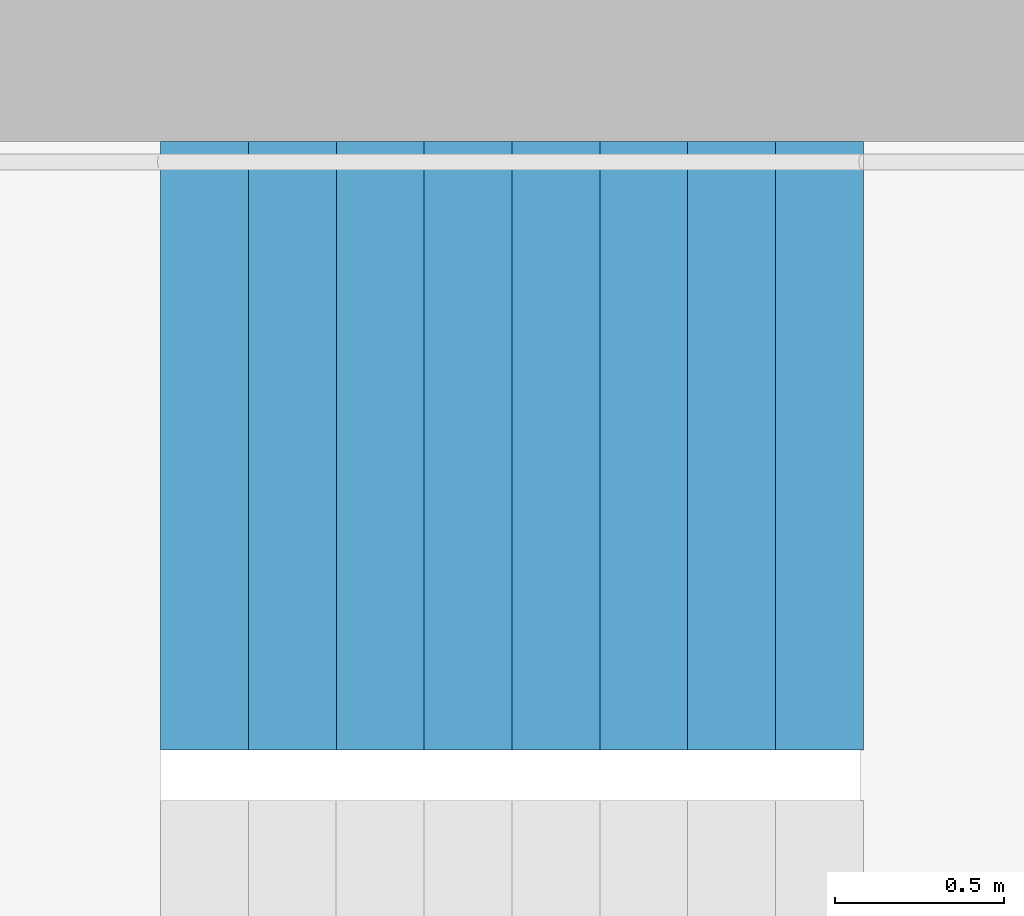
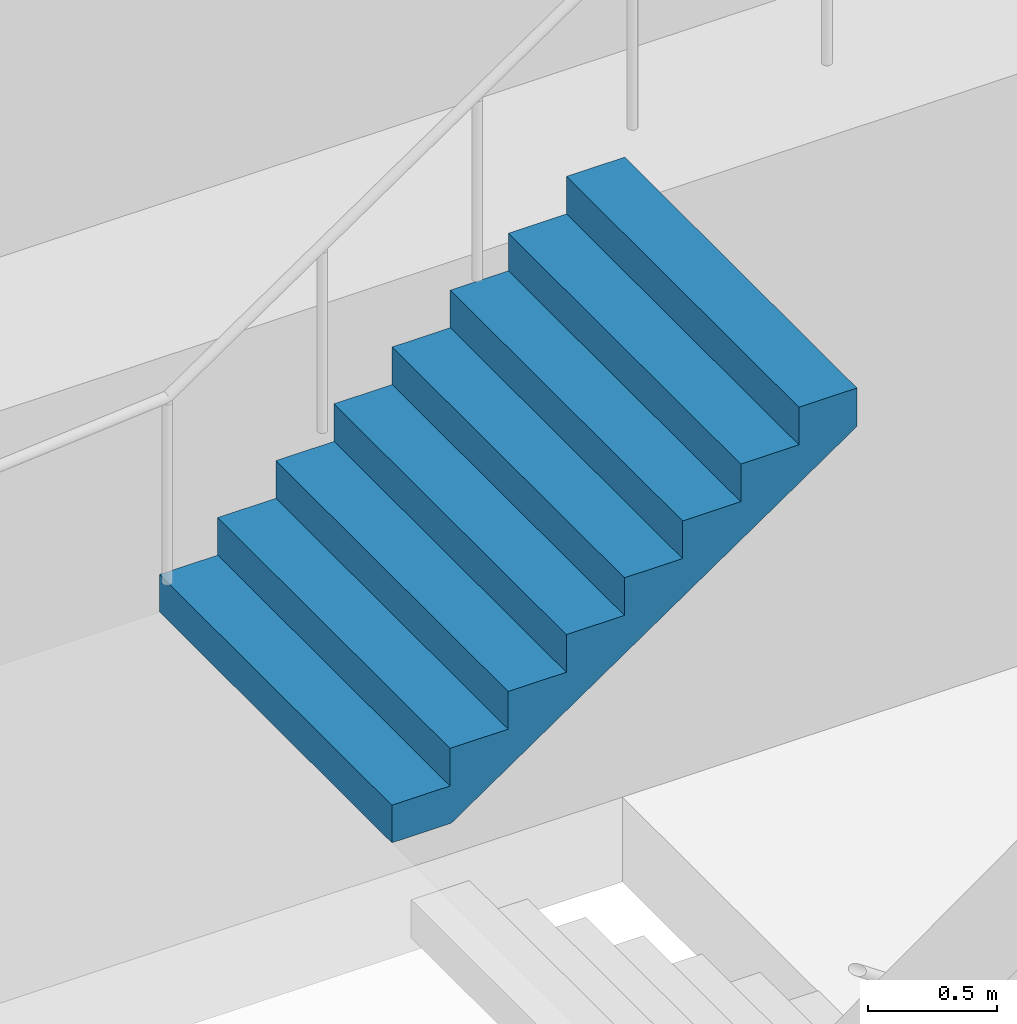
# One storey, part 40 of 42: 1 stair flight, 1 element without a shape of its own.
"""IFC4 building model written with IfcOpenShell, lengths in metres."""

from ifc_helpers import new_model, si_unit, direction, frame, origin, place, context, subcontext, project, spatial, triangles, material, type_object, element, aggregate, save


model = new_model("IFC4")

# Units and contexts
model_context = context("Model", 3, precision=1e-05, world=origin(), true_north=direction((0.0, 1.0)))
body_context = subcontext(model_context, "Body", "Model", "MODEL_VIEW")
ifc_project = project(units=[si_unit("LENGTHUNIT", "METRE"), si_unit("AREAUNIT", "SQUARE_METRE"), si_unit("VOLUMEUNIT", "CUBIC_METRE"), si_unit("PLANEANGLEUNIT", "RADIAN"), si_unit("MASSUNIT", "GRAM", prefix="KILO")], contexts=[model_context])

# Site, building, storey
site_placement = place(None, origin())
site = spatial("IfcSite", under=ifc_project, at=site_placement, CompositionType="ELEMENT")
building_placement = place(site_placement, origin())
building = spatial("IfcBuilding", under=site, at=building_placement, Name="Hakoniwa Tower and Hamabe Station Hall", CompositionType="ELEMENT")
storey_placement = place(building_placement, frame((0.0, 0.0, 19.800048828125)))
storey = spatial("IfcBuildingStorey", under=building, at=storey_placement, Name="L04", CompositionType="ELEMENT", Elevation=19.800048828125)

# Stair, stair flight
ifc_material_1 = material(Name="Concrete C40", Category="concrete")
stair_type = type_object("IfcStairType", Name="ESCAPE STAIR 1800", PredefinedType="HALF_TURN_STAIR", material=ifc_material_1)
stair_placement = place(storey_placement, origin())
stair = element("IfcStair", 1, at=stair_placement, inside=storey, type_object=stair_type, Name="Escape stair ST-3 L04", PredefinedType="HALF_TURN_STAIR")
ifc_material_2 = material(Name="Concrete C40", Category="concrete")
stair_flight_type = type_object("IfcStairFlightType", Name="STAIR FLIGHT 1800", PredefinedType="STRAIGHT", material=ifc_material_2)
stair_flight_placement = place(storey_placement, frame((22.320068359375, 6.60009765625, 1.599853515625), z_axis=(0.0, 0.0, 1.0), x_axis=(1.0, 0.0, 0.0)))
stair_flight = element("IfcStairFlight", 2, at=stair_flight_placement, type_object=stair_flight_type, Name="ST-3 flight 2", NumberOfRisers=9, NumberOfTreads=8, PredefinedType="STRAIGHT", RiserHeight=0.177777778, TreadLength=0.26, context=body_context, shape_type="Tessellation", body=[
    triangles([(0.0, 0.89990234375, 0.0), (0.260009765625, 0.89990234375, 0.0), (0.265625, 0.89990234375, 0.0), (0.52001953125, 0.89990234375, 0.174072265625), (0.780029296875, 0.89990234375, 0.351806640625), (1.0400390625, 0.89990234375, 0.529541015625), (1.300048828125, 0.89990234375, 0.707275390625), (1.56005859375, 0.89990234375, 0.885009765625), (1.820068359375, 0.89990234375, 1.062744140625), (2.080078125, 0.89990234375, 1.24072265625), (2.080078125, 0.89990234375, 1.422119140625), (1.820068359375, 0.89990234375, 1.422119140625), (1.820068359375, 0.89990234375, 1.244384765625), (1.56005859375, 0.89990234375, 1.244384765625), (1.56005859375, 0.89990234375, 1.066650390625), (1.300048828125, 0.89990234375, 1.066650390625), (1.300048828125, 0.89990234375, 0.888916015625), (1.0400390625, 0.89990234375, 0.888916015625), (1.0400390625, 0.89990234375, 0.711181640625), (0.780029296875, 0.89990234375, 0.711181640625), (0.780029296875, 0.89990234375, 0.533447265625), (0.52001953125, 0.89990234375, 0.533447265625), (0.52001953125, 0.89990234375, 0.35546875), (0.265625, 0.89990234375, 0.35546875), (0.260009765625, 0.89990234375, 0.35546875), (0.260009765625, 0.89990234375, 0.177734375), (0.0, 0.89990234375, 0.177734375), (0.0, 0.06005859375, 0.0), (0.260009765625, 0.06005859375, 0.0), (0.265625, 0.06005859375, 0.0), (0.52001953125, 0.06005859375, 0.174072265625), (0.780029296875, 0.06005859375, 0.351806640625), (1.0400390625, 0.06005859375, 0.529541015625), (1.300048828125, 0.06005859375, 0.707275390625), (1.56005859375, 0.06005859375, 0.885009765625), (1.820068359375, 0.06005859375, 1.062744140625), (2.080078125, 0.06005859375, 1.24072265625), (2.080078125, 0.06005859375, 1.422119140625), (1.820068359375, 0.06005859375, 1.422119140625), (1.820068359375, 0.06005859375, 1.244384765625), (1.56005859375, 0.06005859375, 1.244384765625), (1.56005859375, 0.06005859375, 1.066650390625), (1.300048828125, 0.06005859375, 1.066650390625), (1.300048828125, 0.06005859375, 0.888916015625), (1.0400390625, 0.06005859375, 0.888916015625), (1.0400390625, 0.06005859375, 0.711181640625), (0.780029296875, 0.06005859375, 0.711181640625), (0.780029296875, 0.06005859375, 0.533447265625), (0.52001953125, 0.06005859375, 0.533447265625), (0.52001953125, 0.06005859375, 0.35546875), (0.265625, 0.06005859375, 0.35546875), (0.260009765625, 0.06005859375, 0.35546875), (0.260009765625, 0.06005859375, 0.177734375), (0.0, 0.06005859375, 0.177734375), (0.0, 0.04296875, 0.0), (0.260009765625, 0.04296875, 0.0), (0.265625, 0.04296875, 0.0), (0.52001953125, 0.04296875, 0.174072265625), (0.780029296875, 0.04296875, 0.351806640625), (1.0400390625, 0.04296875, 0.529541015625), (1.300048828125, 0.04296875, 0.707275390625), (1.56005859375, 0.04296875, 0.885009765625), (1.820068359375, 0.04296875, 1.062744140625), (2.080078125, 0.04296875, 1.24072265625), (2.080078125, 0.04296875, 1.422119140625), (1.820068359375, 0.04296875, 1.422119140625), (1.820068359375, 0.04296875, 1.244384765625), (1.56005859375, 0.04296875, 1.244384765625), (1.56005859375, 0.04296875, 1.066650390625), (1.300048828125, 0.04296875, 1.066650390625), (1.300048828125, 0.04296875, 0.888916015625), (1.0400390625, 0.04296875, 0.888916015625), (1.0400390625, 0.04296875, 0.711181640625), (0.780029296875, 0.04296875, 0.711181640625), (0.780029296875, 0.04296875, 0.533447265625), (0.52001953125, 0.04296875, 0.533447265625), (0.52001953125, 0.04296875, 0.35546875), (0.265625, 0.04296875, 0.35546875), (0.260009765625, 0.04296875, 0.35546875), (0.260009765625, 0.04296875, 0.177734375), (0.0, 0.04296875, 0.177734375), (0.0, 0.025634765625, 0.0), (0.260009765625, 0.025634765625, 0.0), (0.265625, 0.025634765625, 0.0), (0.52001953125, 0.025634765625, 0.174072265625), (0.780029296875, 0.025634765625, 0.351806640625), (1.0400390625, 0.025634765625, 0.529541015625), (1.300048828125, 0.025634765625, 0.707275390625), (1.56005859375, 0.025634765625, 0.885009765625), (1.820068359375, 0.025634765625, 1.062744140625), (2.080078125, 0.025634765625, 1.24072265625), (2.080078125, 0.025634765625, 1.422119140625), (1.820068359375, 0.025634765625, 1.422119140625), (1.820068359375, 0.025634765625, 1.244384765625), (1.56005859375, 0.025634765625, 1.244384765625), (1.56005859375, 0.025634765625, 1.066650390625), (1.300048828125, 0.025634765625, 1.066650390625), (1.300048828125, 0.025634765625, 0.888916015625), (1.0400390625, 0.025634765625, 0.888916015625), (1.0400390625, 0.025634765625, 0.711181640625), (0.780029296875, 0.025634765625, 0.711181640625), (0.780029296875, 0.025634765625, 0.533447265625), (0.52001953125, 0.025634765625, 0.533447265625), (0.52001953125, 0.025634765625, 0.35546875), (0.265625, 0.025634765625, 0.35546875), (0.260009765625, 0.025634765625, 0.35546875), (0.260009765625, 0.025634765625, 0.177734375), (0.0, 0.025634765625, 0.177734375), (0.0, 0.008544921875, 0.0), (0.260009765625, 0.008544921875, 0.0), (0.265625, 0.008544921875, 0.0), (0.52001953125, 0.008544921875, 0.174072265625), (0.780029296875, 0.008544921875, 0.351806640625), (1.0400390625, 0.008544921875, 0.529541015625), (1.300048828125, 0.008544921875, 0.707275390625), (1.56005859375, 0.008544921875, 0.885009765625), (1.820068359375, 0.008544921875, 1.062744140625), (2.080078125, 0.008544921875, 1.24072265625), (2.080078125, 0.008544921875, 1.422119140625), (1.820068359375, 0.008544921875, 1.422119140625), (1.820068359375, 0.008544921875, 1.244384765625), (1.56005859375, 0.008544921875, 1.244384765625), (1.56005859375, 0.008544921875, 1.066650390625), (1.300048828125, 0.008544921875, 1.066650390625), (1.300048828125, 0.008544921875, 0.888916015625), (1.0400390625, 0.008544921875, 0.888916015625), (1.0400390625, 0.008544921875, 0.711181640625), (0.780029296875, 0.008544921875, 0.711181640625), (0.780029296875, 0.008544921875, 0.533447265625), (0.52001953125, 0.008544921875, 0.533447265625), (0.52001953125, 0.008544921875, 0.35546875), (0.265625, 0.008544921875, 0.35546875), (0.260009765625, 0.008544921875, 0.35546875), (0.260009765625, 0.008544921875, 0.177734375), (0.0, 0.008544921875, 0.177734375), (0.0, -0.008544921875, 0.0), (0.260009765625, -0.008544921875, 0.0), (0.265625, -0.008544921875, 0.0), (0.52001953125, -0.008544921875, 0.174072265625), (0.780029296875, -0.008544921875, 0.351806640625), (1.0400390625, -0.008544921875, 0.529541015625), (1.300048828125, -0.008544921875, 0.707275390625), (1.56005859375, -0.008544921875, 0.885009765625), (1.820068359375, -0.008544921875, 1.062744140625), (2.080078125, -0.008544921875, 1.24072265625), (2.080078125, -0.008544921875, 1.422119140625), (1.820068359375, -0.008544921875, 1.422119140625), (1.820068359375, -0.008544921875, 1.244384765625), (1.56005859375, -0.008544921875, 1.244384765625), (1.56005859375, -0.008544921875, 1.066650390625), (1.300048828125, -0.008544921875, 1.066650390625), (1.300048828125, -0.008544921875, 0.888916015625), (1.0400390625, -0.008544921875, 0.888916015625), (1.0400390625, -0.008544921875, 0.711181640625), (0.780029296875, -0.008544921875, 0.711181640625), (0.780029296875, -0.008544921875, 0.533447265625), (0.52001953125, -0.008544921875, 0.533447265625), (0.52001953125, -0.008544921875, 0.35546875), (0.265625, -0.008544921875, 0.35546875), (0.260009765625, -0.008544921875, 0.35546875), (0.260009765625, -0.008544921875, 0.177734375), (0.0, -0.008544921875, 0.177734375), (0.0, -0.025634765625, 0.0), (0.260009765625, -0.025634765625, 0.0), (0.265625, -0.025634765625, 0.0), (0.52001953125, -0.025634765625, 0.174072265625), (0.780029296875, -0.025634765625, 0.351806640625), (1.0400390625, -0.025634765625, 0.529541015625), (1.300048828125, -0.025634765625, 0.707275390625), (1.56005859375, -0.025634765625, 0.885009765625), (1.820068359375, -0.025634765625, 1.062744140625), (2.080078125, -0.025634765625, 1.24072265625), (2.080078125, -0.025634765625, 1.422119140625), (1.820068359375, -0.025634765625, 1.422119140625), (1.820068359375, -0.025634765625, 1.244384765625), (1.56005859375, -0.025634765625, 1.244384765625), (1.56005859375, -0.025634765625, 1.066650390625), (1.300048828125, -0.025634765625, 1.066650390625), (1.300048828125, -0.025634765625, 0.888916015625), (1.0400390625, -0.025634765625, 0.888916015625), (1.0400390625, -0.025634765625, 0.711181640625), (0.780029296875, -0.025634765625, 0.711181640625), (0.780029296875, -0.025634765625, 0.533447265625), (0.52001953125, -0.025634765625, 0.533447265625), (0.52001953125, -0.025634765625, 0.35546875), (0.265625, -0.025634765625, 0.35546875), (0.260009765625, -0.025634765625, 0.35546875), (0.260009765625, -0.025634765625, 0.177734375), (0.0, -0.025634765625, 0.177734375), (0.0, -0.04296875, 0.0), (0.260009765625, -0.04296875, 0.0), (0.265625, -0.04296875, 0.0), (0.52001953125, -0.04296875, 0.174072265625), (0.780029296875, -0.04296875, 0.351806640625), (1.0400390625, -0.04296875, 0.529541015625), (1.300048828125, -0.04296875, 0.707275390625), (1.56005859375, -0.04296875, 0.885009765625), (1.820068359375, -0.04296875, 1.062744140625), (2.080078125, -0.04296875, 1.24072265625), (2.080078125, -0.04296875, 1.422119140625), (1.820068359375, -0.04296875, 1.422119140625), (1.820068359375, -0.04296875, 1.244384765625), (1.56005859375, -0.04296875, 1.244384765625), (1.56005859375, -0.04296875, 1.066650390625), (1.300048828125, -0.04296875, 1.066650390625), (1.300048828125, -0.04296875, 0.888916015625), (1.0400390625, -0.04296875, 0.888916015625), (1.0400390625, -0.04296875, 0.711181640625), (0.780029296875, -0.04296875, 0.711181640625), (0.780029296875, -0.04296875, 0.533447265625), (0.52001953125, -0.04296875, 0.533447265625), (0.52001953125, -0.04296875, 0.35546875), (0.265625, -0.04296875, 0.35546875), (0.260009765625, -0.04296875, 0.35546875), (0.260009765625, -0.04296875, 0.177734375), (0.0, -0.04296875, 0.177734375), (0.0, -0.06005859375, 0.0), (0.260009765625, -0.06005859375, 0.0), (0.265625, -0.06005859375, 0.0), (0.52001953125, -0.06005859375, 0.174072265625), (0.780029296875, -0.06005859375, 0.351806640625), (1.0400390625, -0.06005859375, 0.529541015625), (1.300048828125, -0.06005859375, 0.707275390625), (1.56005859375, -0.06005859375, 0.885009765625), (1.820068359375, -0.06005859375, 1.062744140625), (2.080078125, -0.06005859375, 1.24072265625), (2.080078125, -0.06005859375, 1.422119140625), (1.820068359375, -0.06005859375, 1.422119140625), (1.820068359375, -0.06005859375, 1.244384765625), (1.56005859375, -0.06005859375, 1.244384765625), (1.56005859375, -0.06005859375, 1.066650390625), (1.300048828125, -0.06005859375, 1.066650390625), (1.300048828125, -0.06005859375, 0.888916015625), (1.0400390625, -0.06005859375, 0.888916015625), (1.0400390625, -0.06005859375, 0.711181640625), (0.780029296875, -0.06005859375, 0.711181640625), (0.780029296875, -0.06005859375, 0.533447265625), (0.52001953125, -0.06005859375, 0.533447265625), (0.52001953125, -0.06005859375, 0.35546875), (0.265625, -0.06005859375, 0.35546875), (0.260009765625, -0.06005859375, 0.35546875), (0.260009765625, -0.06005859375, 0.177734375), (0.0, -0.06005859375, 0.177734375), (0.0, -0.89990234375, 0.0), (0.260009765625, -0.89990234375, 0.0), (0.265625, -0.89990234375, 0.0), (0.52001953125, -0.89990234375, 0.174072265625), (0.780029296875, -0.89990234375, 0.351806640625), (1.0400390625, -0.89990234375, 0.529541015625), (1.300048828125, -0.89990234375, 0.707275390625), (1.56005859375, -0.89990234375, 0.885009765625), (1.820068359375, -0.89990234375, 1.062744140625), (2.080078125, -0.89990234375, 1.24072265625), (2.080078125, -0.89990234375, 1.422119140625), (1.820068359375, -0.89990234375, 1.422119140625), (1.820068359375, -0.89990234375, 1.244384765625), (1.56005859375, -0.89990234375, 1.244384765625), (1.56005859375, -0.89990234375, 1.066650390625), (1.300048828125, -0.89990234375, 1.066650390625), (1.300048828125, -0.89990234375, 0.888916015625), (1.0400390625, -0.89990234375, 0.888916015625), (1.0400390625, -0.89990234375, 0.711181640625), (0.780029296875, -0.89990234375, 0.711181640625), (0.780029296875, -0.89990234375, 0.533447265625), (0.52001953125, -0.89990234375, 0.533447265625), (0.52001953125, -0.89990234375, 0.35546875), (0.265625, -0.89990234375, 0.35546875), (0.260009765625, -0.89990234375, 0.35546875), (0.260009765625, -0.89990234375, 0.177734375), (0.0, -0.89990234375, 0.177734375)], [[2, 27, 26], [245, 269, 270], [2, 1, 27], [245, 270, 244], [3, 25, 24], [246, 267, 268], [3, 26, 25], [246, 268, 269], [3, 2, 26], [246, 269, 245], [4, 24, 23], [247, 266, 267], [4, 3, 24], [247, 267, 246], [5, 22, 21], [248, 264, 265], [5, 23, 22], [248, 265, 266], [5, 4, 23], [248, 266, 247], [6, 20, 19], [249, 262, 263], [6, 21, 20], [249, 263, 264], [6, 5, 21], [249, 264, 248], [7, 18, 17], [250, 260, 261], [7, 19, 18], [250, 261, 262], [7, 6, 19], [250, 262, 249], [8, 16, 15], [251, 258, 259], [8, 17, 16], [251, 259, 260], [8, 7, 17], [251, 260, 250], [9, 14, 13], [252, 256, 257], [9, 15, 14], [252, 257, 258], [9, 8, 15], [252, 258, 251], [10, 12, 11], [253, 254, 255], [10, 13, 12], [253, 255, 256], [10, 9, 13], [253, 256, 252], [1, 2, 29], [1, 29, 28], [28, 29, 56], [28, 56, 55], [55, 56, 83], [55, 83, 82], [82, 83, 110], [82, 110, 109], [109, 110, 137], [109, 137, 136], [136, 137, 164], [136, 164, 163], [163, 164, 191], [163, 191, 190], [190, 191, 218], [190, 218, 217], [217, 218, 245], [217, 245, 244], [2, 3, 30], [2, 30, 29], [29, 30, 57], [29, 57, 56], [56, 57, 84], [56, 84, 83], [83, 84, 111], [83, 111, 110], [110, 111, 138], [110, 138, 137], [137, 138, 165], [137, 165, 164], [164, 165, 192], [164, 192, 191], [191, 192, 219], [191, 219, 218], [218, 219, 246], [218, 246, 245], [3, 4, 31], [3, 31, 30], [30, 31, 58], [30, 58, 57], [57, 58, 85], [57, 85, 84], [84, 85, 112], [84, 112, 111], [111, 112, 139], [111, 139, 138], [138, 139, 166], [138, 166, 165], [165, 166, 193], [165, 193, 192], [192, 193, 220], [192, 220, 219], [219, 220, 247], [219, 247, 246], [4, 5, 32], [4, 32, 31], [31, 32, 59], [31, 59, 58], [58, 59, 86], [58, 86, 85], [85, 86, 113], [85, 113, 112], [112, 113, 140], [112, 140, 139], [139, 140, 167], [139, 167, 166], [166, 167, 194], [166, 194, 193], [193, 194, 221], [193, 221, 220], [220, 221, 248], [220, 248, 247], [5, 6, 33], [5, 33, 32], [32, 33, 60], [32, 60, 59], [59, 60, 87], [59, 87, 86], [86, 87, 114], [86, 114, 113], [113, 114, 141], [113, 141, 140], [140, 141, 168], [140, 168, 167], [167, 168, 195], [167, 195, 194], [194, 195, 222], [194, 222, 221], [221, 222, 249], [221, 249, 248], [6, 7, 34], [6, 34, 33], [33, 34, 61], [33, 61, 60], [60, 61, 88], [60, 88, 87], [87, 88, 115], [87, 115, 114], [114, 115, 142], [114, 142, 141], [141, 142, 169], [141, 169, 168], [168, 169, 196], [168, 196, 195], [195, 196, 223], [195, 223, 222], [222, 223, 250], [222, 250, 249], [7, 8, 35], [7, 35, 34], [34, 35, 62], [34, 62, 61], [61, 62, 89], [61, 89, 88], [88, 89, 116], [88, 116, 115], [115, 116, 143], [115, 143, 142], [142, 143, 170], [142, 170, 169], [169, 170, 197], [169, 197, 196], [196, 197, 224], [196, 224, 223], [223, 224, 251], [223, 251, 250], [8, 9, 36], [8, 36, 35], [35, 36, 63], [35, 63, 62], [62, 63, 90], [62, 90, 89], [89, 90, 117], [89, 117, 116], [116, 117, 144], [116, 144, 143], [143, 144, 171], [143, 171, 170], [170, 171, 198], [170, 198, 197], [197, 198, 225], [197, 225, 224], [224, 225, 252], [224, 252, 251], [9, 10, 37], [9, 37, 36], [36, 37, 64], [36, 64, 63], [63, 64, 91], [63, 91, 90], [90, 91, 118], [90, 118, 117], [117, 118, 145], [117, 145, 144], [144, 145, 172], [144, 172, 171], [171, 172, 199], [171, 199, 198], [198, 199, 226], [198, 226, 225], [225, 226, 253], [225, 253, 252], [10, 11, 38], [10, 38, 37], [37, 38, 65], [37, 65, 64], [64, 65, 92], [64, 92, 91], [91, 92, 119], [91, 119, 118], [118, 119, 146], [118, 146, 145], [145, 146, 173], [145, 173, 172], [172, 173, 200], [172, 200, 199], [199, 200, 227], [199, 227, 226], [226, 227, 254], [226, 254, 253], [11, 12, 39], [11, 39, 38], [38, 39, 66], [38, 66, 65], [65, 66, 93], [65, 93, 92], [92, 93, 120], [92, 120, 119], [119, 120, 147], [119, 147, 146], [146, 147, 174], [146, 174, 173], [173, 174, 201], [173, 201, 200], [200, 201, 228], [200, 228, 227], [227, 228, 255], [227, 255, 254], [12, 13, 40], [12, 40, 39], [39, 40, 67], [39, 67, 66], [66, 67, 94], [66, 94, 93], [93, 94, 121], [93, 121, 120], [120, 121, 148], [120, 148, 147], [147, 148, 175], [147, 175, 174], [174, 175, 202], [174, 202, 201], [201, 202, 229], [201, 229, 228], [228, 229, 256], [228, 256, 255], [13, 14, 41], [13, 41, 40], [40, 41, 68], [40, 68, 67], [67, 68, 95], [67, 95, 94], [94, 95, 122], [94, 122, 121], [121, 122, 149], [121, 149, 148], [148, 149, 176], [148, 176, 175], [175, 176, 203], [175, 203, 202], [202, 203, 230], [202, 230, 229], [229, 230, 257], [229, 257, 256], [14, 15, 42], [14, 42, 41], [41, 42, 69], [41, 69, 68], [68, 69, 96], [68, 96, 95], [95, 96, 123], [95, 123, 122], [122, 123, 150], [122, 150, 149], [149, 150, 177], [149, 177, 176], [176, 177, 204], [176, 204, 203], [203, 204, 231], [203, 231, 230], [230, 231, 258], [230, 258, 257], [15, 16, 43], [15, 43, 42], [42, 43, 70], [42, 70, 69], [69, 70, 97], [69, 97, 96], [96, 97, 124], [96, 124, 123], [123, 124, 151], [123, 151, 150], [150, 151, 178], [150, 178, 177], [177, 178, 205], [177, 205, 204], [204, 205, 232], [204, 232, 231], [231, 232, 259], [231, 259, 258], [16, 17, 44], [16, 44, 43], [43, 44, 71], [43, 71, 70], [70, 71, 98], [70, 98, 97], [97, 98, 125], [97, 125, 124], [124, 125, 152], [124, 152, 151], [151, 152, 179], [151, 179, 178], [178, 179, 206], [178, 206, 205], [205, 206, 233], [205, 233, 232], [232, 233, 260], [232, 260, 259], [17, 18, 45], [17, 45, 44], [44, 45, 72], [44, 72, 71], [71, 72, 99], [71, 99, 98], [98, 99, 126], [98, 126, 125], [125, 126, 153], [125, 153, 152], [152, 153, 180], [152, 180, 179], [179, 180, 207], [179, 207, 206], [206, 207, 234], [206, 234, 233], [233, 234, 261], [233, 261, 260], [18, 19, 46], [18, 46, 45], [45, 46, 73], [45, 73, 72], [72, 73, 100], [72, 100, 99], [99, 100, 127], [99, 127, 126], [126, 127, 154], [126, 154, 153], [153, 154, 181], [153, 181, 180], [180, 181, 208], [180, 208, 207], [207, 208, 235], [207, 235, 234], [234, 235, 262], [234, 262, 261], [19, 20, 47], [19, 47, 46], [46, 47, 74], [46, 74, 73], [73, 74, 101], [73, 101, 100], [100, 101, 128], [100, 128, 127], [127, 128, 155], [127, 155, 154], [154, 155, 182], [154, 182, 181], [181, 182, 209], [181, 209, 208], [208, 209, 236], [208, 236, 235], [235, 236, 263], [235, 263, 262], [20, 21, 48], [20, 48, 47], [47, 48, 75], [47, 75, 74], [74, 75, 102], [74, 102, 101], [101, 102, 129], [101, 129, 128], [128, 129, 156], [128, 156, 155], [155, 156, 183], [155, 183, 182], [182, 183, 210], [182, 210, 209], [209, 210, 237], [209, 237, 236], [236, 237, 264], [236, 264, 263], [21, 22, 49], [21, 49, 48], [48, 49, 76], [48, 76, 75], [75, 76, 103], [75, 103, 102], [102, 103, 130], [102, 130, 129], [129, 130, 157], [129, 157, 156], [156, 157, 184], [156, 184, 183], [183, 184, 211], [183, 211, 210], [210, 211, 238], [210, 238, 237], [237, 238, 265], [237, 265, 264], [22, 23, 50], [22, 50, 49], [49, 50, 77], [49, 77, 76], [76, 77, 104], [76, 104, 103], [103, 104, 131], [103, 131, 130], [130, 131, 158], [130, 158, 157], [157, 158, 185], [157, 185, 184], [184, 185, 212], [184, 212, 211], [211, 212, 239], [211, 239, 238], [238, 239, 266], [238, 266, 265], [23, 24, 51], [23, 51, 50], [50, 51, 78], [50, 78, 77], [77, 78, 105], [77, 105, 104], [104, 105, 132], [104, 132, 131], [131, 132, 159], [131, 159, 158], [158, 159, 186], [158, 186, 185], [185, 186, 213], [185, 213, 212], [212, 213, 240], [212, 240, 239], [239, 240, 267], [239, 267, 266], [24, 25, 52], [24, 52, 51], [51, 52, 79], [51, 79, 78], [78, 79, 106], [78, 106, 105], [105, 106, 133], [105, 133, 132], [132, 133, 160], [132, 160, 159], [159, 160, 187], [159, 187, 186], [186, 187, 214], [186, 214, 213], [213, 214, 241], [213, 241, 240], [240, 241, 268], [240, 268, 267], [25, 26, 53], [25, 53, 52], [52, 53, 80], [52, 80, 79], [79, 80, 107], [79, 107, 106], [106, 107, 134], [106, 134, 133], [133, 134, 161], [133, 161, 160], [160, 161, 188], [160, 188, 187], [187, 188, 215], [187, 215, 214], [214, 215, 242], [214, 242, 241], [241, 242, 269], [241, 269, 268], [26, 27, 54], [26, 54, 53], [53, 54, 81], [53, 81, 80], [80, 81, 108], [80, 108, 107], [107, 108, 135], [107, 135, 134], [134, 135, 162], [134, 162, 161], [161, 162, 189], [161, 189, 188], [188, 189, 216], [188, 216, 215], [215, 216, 243], [215, 243, 242], [242, 243, 270], [242, 270, 269], [27, 1, 28], [27, 28, 54], [54, 28, 55], [54, 55, 81], [81, 55, 82], [81, 82, 108], [108, 82, 109], [108, 109, 135], [135, 109, 136], [135, 136, 162], [162, 136, 163], [162, 163, 189], [189, 163, 190], [189, 190, 216], [216, 190, 217], [216, 217, 243], [243, 217, 244], [243, 244, 270]], closed=True),
])
aggregate(stair, [stair_flight])

save(model, "model.ifc")
